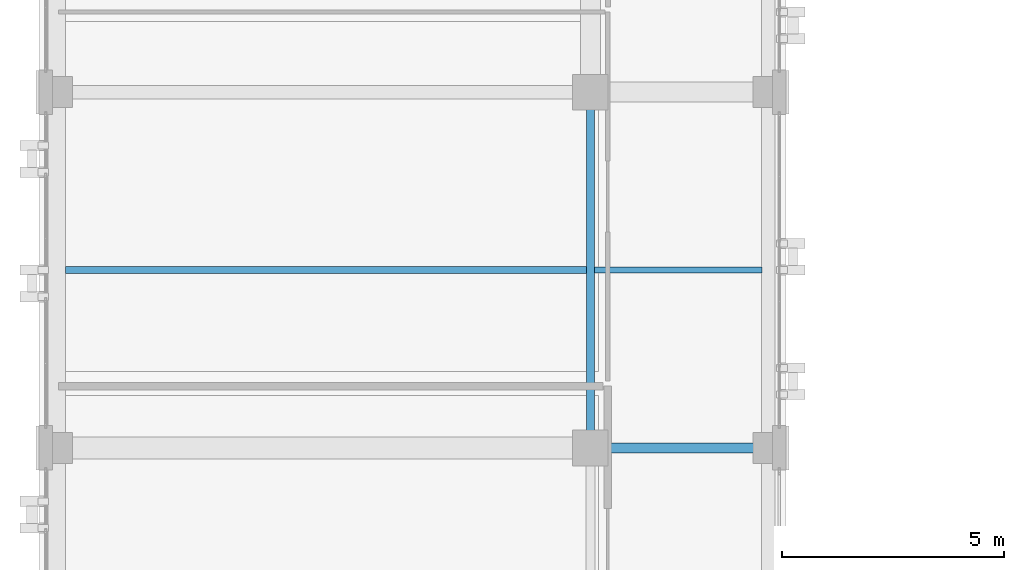
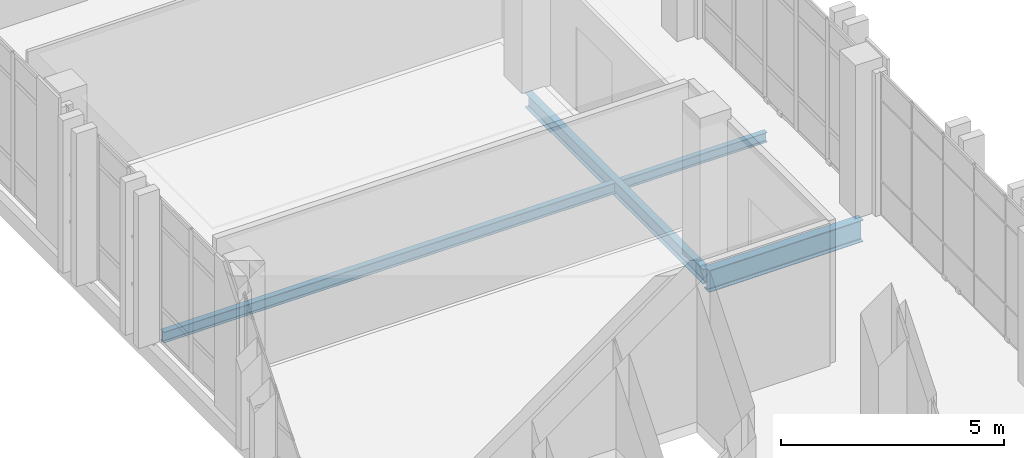
# One storey, part 30 of 193: 4 beams.
"""IFC4 building model written with IfcOpenShell, lengths in metres."""

from ifc_helpers import new_model, si_unit, direction, frame, origin, origin_2d, place, context, subcontext, project, spatial, i_section, extrude, material, material_profile, profile_set, type_object, element, save


model = new_model("IFC4")

# Units and contexts
model_context = context("Model", 3, precision=1e-05, world=origin(), true_north=direction((0.0, 1.0)))
body_context = subcontext(model_context, "Body", "Model", "MODEL_VIEW")
ifc_project = project(units=[si_unit("LENGTHUNIT", "METRE"), si_unit("AREAUNIT", "SQUARE_METRE"), si_unit("VOLUMEUNIT", "CUBIC_METRE"), si_unit("PLANEANGLEUNIT", "RADIAN"), si_unit("MASSUNIT", "GRAM", prefix="KILO")], contexts=[model_context])

# Site, building, storey
site_placement = place(None, origin())
site = spatial("IfcSite", under=ifc_project, at=site_placement, CompositionType="ELEMENT")
building_placement = place(site_placement, origin())
building = spatial("IfcBuilding", under=site, at=building_placement, Name="Qalavern Law Courts", CompositionType="ELEMENT")
storey_placement = place(building_placement, frame((0.0, 0.0, 10.199951171875)))
storey = spatial("IfcBuildingStorey", under=building, at=storey_placement, Name="L02", CompositionType="ELEMENT", Elevation=10.199951171875)

# Beams
ifc_material = material(Name="Steel S355", Category="steel")
ifc_material_profile_1 = material_profile(ifc_material, i_section(OverallWidth=0.179931640625, OverallDepth=0.39990234375, WebThickness=0.008544921875, FlangeThickness=0.013427734375, FilletRadius=0.02099609375, at=origin_2d()), Name="IPE 400")
ifc_profile_set_1 = profile_set([ifc_material_profile_1], Name="Steel S355")
beam_type_1 = type_object("IfcBeamType", Name="STR-BM-IPE400", PredefinedType="BEAM", material=ifc_profile_set_1)
beam_1_placement = place(storey_placement, frame((14.39990234375, 57.39990234375, -0.489990234375), z_axis=(0.0, 1.0, 0.0), x_axis=(-1.0, 0.0, 0.0)))
element("IfcBeam", 1, at=beam_1_placement, inside=storey, type_object=beam_type_1, Name="V3 Y-beam 2-3 L02", PredefinedType="BEAM", context=body_context, shape_type="SweptSolid", body=[
    extrude(i_section(OverallWidth=0.179931640625, OverallDepth=0.39990234375, WebThickness=0.008544921875, FlangeThickness=0.013427734375, FilletRadius=0.02099609375, at=origin_2d()), origin(), (0.0, 0.0, 1.0), 8.0),
])
ifc_material_profile_2 = material_profile(ifc_material, i_section(OverallWidth=0.219970703125, OverallDepth=0.60009765625, WebThickness=0.011962890625, FlangeThickness=0.01904296875, FilletRadius=0.02392578125, at=origin_2d()), Name="IPE 600")
ifc_profile_set_2 = profile_set([ifc_material_profile_2], Name="Steel S355")
beam_type_2 = type_object("IfcBeamType", Name="STR-BM-IPE600", PredefinedType="BEAM", material=ifc_profile_set_2)
beam_2_placement = place(storey_placement, frame((14.39990234375, 57.39990234375, -0.58984375), z_axis=(1.0, 0.0, 0.0), x_axis=(0.0, 1.0, 0.0)))
element("IfcBeam", 2, at=beam_2_placement, inside=storey, type_object=beam_type_2, Name="V3 X-beam 3-2 L02", PredefinedType="BEAM", context=body_context, shape_type="SweptSolid", body=[
    extrude(i_section(OverallWidth=0.219970703125, OverallDepth=0.60009765625, WebThickness=0.011962890625, FlangeThickness=0.01904296875, FilletRadius=0.02392578125, at=origin_2d()), origin(), (0.0, 0.0, 1.0), 4.0),
])
ifc_material_profile_3 = material_profile(ifc_material, i_section(OverallWidth=0.135009765625, OverallDepth=0.27001953125, WebThickness=0.006591796875, FlangeThickness=0.01025390625, FilletRadius=0.014892578125, at=origin_2d()), Name="IPE 270")
ifc_profile_set_3 = profile_set([ifc_material_profile_3], Name="Steel S355")
beam_type_3 = type_object("IfcBeamType", Name="STR-JST-IPE270", PredefinedType="JOIST", material=ifc_profile_set_3)
beam_3_placement = place(storey_placement, frame((14.488037109375, 61.39990234375, -0.425048828125), z_axis=(1.0, 0.0, 0.0), x_axis=(0.0, 1.0, 0.0)))
element("IfcBeam", 3, at=beam_3_placement, inside=storey, type_object=beam_type_3, Name="V3 secondary joist 2.3.1 L02", PredefinedType="JOIST", context=body_context, shape_type="SweptSolid", body=[
    extrude(i_section(OverallWidth=0.135009765625, OverallDepth=0.27001953125, WebThickness=0.006591796875, FlangeThickness=0.01025390625, FilletRadius=0.014892578125, at=origin_2d()), origin(), (0.0, 0.0, 1.0), 3.763916015625),
])
ifc_material_profile_4 = material_profile(ifc_material, i_section(OverallWidth=0.14990234375, OverallDepth=0.300048828125, WebThickness=0.007080078125, FlangeThickness=0.0107421875, FilletRadius=0.014892578125, at=origin_2d()), Name="IPE 300")
ifc_profile_set_4 = profile_set([ifc_material_profile_4], Name="Steel S355")
beam_type_4 = type_object("IfcBeamType", Name="STR-JST-IPE300", PredefinedType="JOIST", material=ifc_profile_set_4)
beam_4_placement = place(storey_placement, frame((2.597900390625, 61.39990234375, -0.43994140625), z_axis=(1.0, 0.0, 0.0), x_axis=(0.0, 1.0, 0.0)))
element("IfcBeam", 4, at=beam_4_placement, inside=storey, type_object=beam_type_4, Name="V3 secondary joist 1.3.1 L02", PredefinedType="JOIST", context=body_context, shape_type="SweptSolid", body=[
    extrude(i_section(OverallWidth=0.14990234375, OverallDepth=0.300048828125, WebThickness=0.007080078125, FlangeThickness=0.0107421875, FilletRadius=0.014892578125, at=origin_2d()), origin(), (0.0, 0.0, 1.0), 11.714111328125),
])

save(model, "model.ifc")
